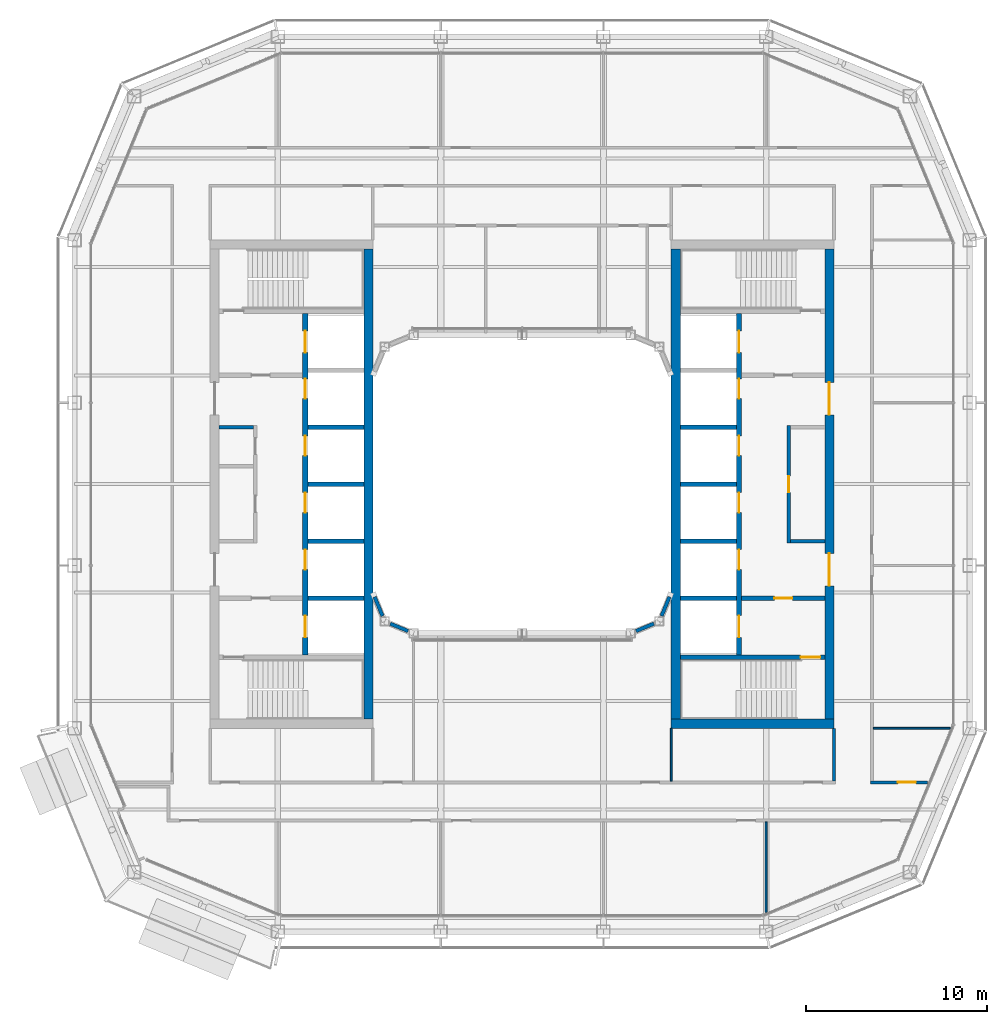
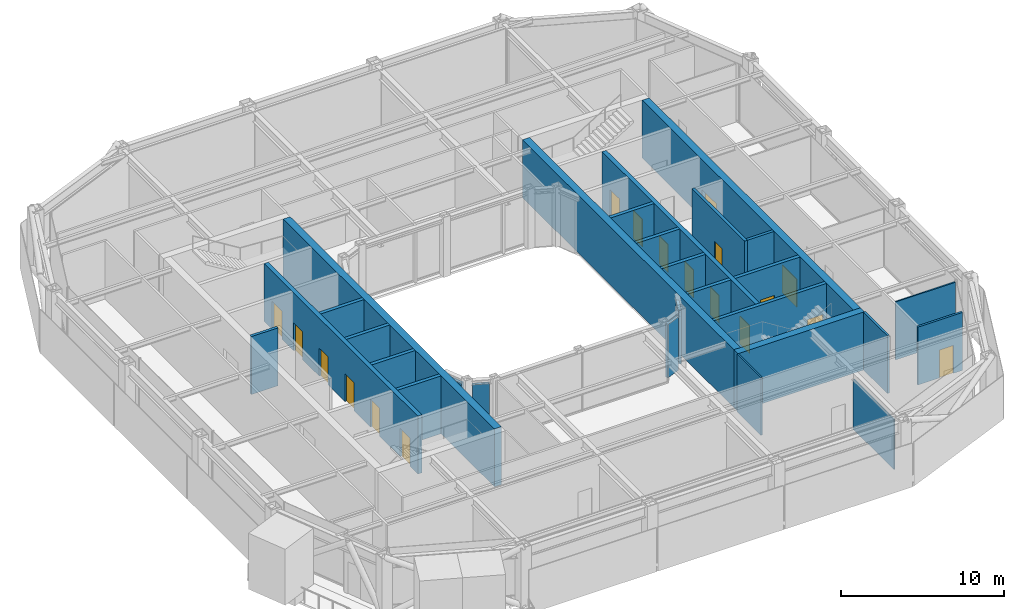
# One storey, part 11 of 20: 28 walls, 18 doors, 18 openings.
"""IFC4 building model written with IfcOpenShell, lengths in metres."""

from ifc_helpers import new_model, si_unit, direction, frame, frame_2d, origin, place, context, subcontext, project, spatial, rectangle, extrude, material, layer, layer_set, type_object, element, fill, save


model = new_model("IFC4")

# Units and contexts
model_context = context("Model", 3, precision=1e-05, world=origin(), true_north=direction((0.0, 1.0)))
body_context = subcontext(model_context, "Body", "Model", "MODEL_VIEW")
ifc_project = project(units=[si_unit("LENGTHUNIT", "METRE"), si_unit("AREAUNIT", "SQUARE_METRE"), si_unit("VOLUMEUNIT", "CUBIC_METRE"), si_unit("PLANEANGLEUNIT", "RADIAN"), si_unit("MASSUNIT", "GRAM", prefix="KILO")], contexts=[model_context])

# Site, building, storey
site_placement = place(None, origin())
site = spatial("IfcSite", under=ifc_project, at=site_placement, CompositionType="ELEMENT")
building_placement = place(site_placement, origin())
building = spatial("IfcBuilding", under=site, at=building_placement, Name="Siwar Civic Tower", CompositionType="ELEMENT")
storey_placement = place(building_placement, frame((0.0, 0.0, 298.699951171875)))
storey = spatial("IfcBuildingStorey", under=building, at=storey_placement, Name="L64", CompositionType="ELEMENT", Elevation=298.699951171875)

# Wall
ifc_material_1 = material(Name="Gypsum board on steel studs", Category="steel")
ifc_layer_1 = layer(ifc_material_1, 0.199951171875)
ifc_layer_set_1 = layer_set([ifc_layer_1], Name="Gypsum board on steel studs")
wall_type_1 = type_object("IfcWallType", Name="CORE-PARTITION-200", PredefinedType="PARTITIONING", material=ifc_layer_set_1)
wall_1_placement = place(storey_placement, frame((-14.85009765625, 3.14990234375, 0.0), z_axis=(0.0, 0.0, 1.0), x_axis=(-1.0, 0.0, 0.0)))
element("IfcWall", 1, at=wall_1_placement, inside=storey, type_object=wall_type_1, Name="Core partition W", PredefinedType="PARTITIONING", context=body_context, shape_type="SweptSolid", body=[
    extrude(rectangle(XDim=1.89990234375, YDim=0.199951171875, at=frame_2d((0.949951171875, 0.0))), origin(), (0.0, 0.0, 1.0), 4.35009765625),
])

# Wall, opening, door
wall_2_placement = place(storey_placement, frame((14.75, -3.25, 0.0), z_axis=(0.0, 0.0, 1.0), x_axis=(0.0, 1.0, 0.0)))
wall_2 = element("IfcWall", 2, at=wall_2_placement, inside=storey, type_object=wall_type_1, Name="Core partition E", PredefinedType="PARTITIONING", context=body_context, shape_type="SweptSolid", body=[
    extrude(rectangle(XDim=6.5, YDim=0.199951171875, at=frame_2d((3.25, 0.0))), origin(), (0.0, 0.0, 1.0), 4.35009765625),
])
opening_1_placement = place(wall_2_placement, frame((2.800048828125, 0.0, 0.0)))
opening_1 = element("IfcOpeningElement", 3, at=opening_1_placement, cuts=wall_2, Name="Opening L64-CE13", PredefinedType="OPENING", context=body_context, shape_type="SweptSolid", body=[
    extrude(rectangle(XDim=0.89990234375, YDim=2.10009765625, at=frame_2d((0.449951171875, 1.050048828125))), frame((0.0, 0.10986328125, 0.0), z_axis=(0.0, -1.0, 0.0), x_axis=(1.0, 0.0, 0.0)), (0.0, 0.0, 1.0), 0.219970703125),
])
ifc_material_2 = material(Name="Steel door leaf", Category="steel")
door_type_1 = type_object("IfcDoorType", Name="CORE-DOOR-ROOM", OperationType="SINGLE_SWING_LEFT", PredefinedType="DOOR", material=ifc_material_2)
door_1_placement = place(opening_1_placement, origin())
door_1 = element("IfcDoor", 4, at=door_1_placement, inside=storey, type_object=door_type_1, Name="Core room door L64-CE13", OperationType="SINGLE_SWING_LEFT", OverallHeight=2.10009765625, OverallWidth=0.89990234375, PredefinedType="DOOR", context=body_context, shape_type="SweptSolid", body=[
    extrude(rectangle(XDim=0.89990234375, YDim=2.10009765625, at=frame_2d((0.449951171875, 1.050048828125))), frame((0.0, 0.02490234375, 0.0), z_axis=(0.0, -1.0, 0.0), x_axis=(1.0, 0.0, 0.0)), (0.0, 0.0, 1.0), 0.050048828125),
])
fill(opening_1, door_1)

# Walls
wall_3_placement = place(storey_placement, frame((14.85009765625, -3.14990234375, 0.0), z_axis=(0.0, 0.0, 1.0), x_axis=(1.0, 0.0, 0.0)))
element("IfcWall", 5, at=wall_3_placement, inside=storey, type_object=wall_type_1, Name="Core partition E", PredefinedType="PARTITIONING", context=body_context, shape_type="SweptSolid", body=[
    extrude(rectangle(XDim=1.89990234375, YDim=0.199951171875, at=frame_2d((0.949951171875, 0.0))), origin(), (0.0, 0.0, 1.0), 4.35009765625),
])
ifc_material_3 = material(Name="Concrete C60/75", Category="concrete")
ifc_layer_2 = layer(ifc_material_3, 0.25)
ifc_layer_set_2 = layer_set([ifc_layer_2], Name="Concrete C60/75")
wall_type_2 = type_object("IfcWallType", Name="CORE-WALL-RC250", PredefinedType="SHEAR", material=ifc_layer_set_2)
for number, where, z_axis, x_axis, name in (
    (6, (-8.75, 0.0, 0.0), (0.0, 0.0, 1.0), (-1.0, 0.0, 0.0), "Core wall W"),
    (7, (-8.75, 3.14990234375, 0.0), (0.0, 0.0, 1.0), (-1.0, 0.0, 0.0), "Core wall W"),
    (8, (-8.75, -3.14990234375, 0.0), (0.0, 0.0, 1.0), (-1.0, 0.0, 0.0), "Core wall W"),
    (9, (-8.75, -6.300048828125, 0.0), (0.0, 0.0, 1.0), (-1.0, 0.0, 0.0), "Core wall W"),
):
    element("IfcWall", number, at=place(storey_placement, frame(where, z_axis=z_axis, x_axis=x_axis)), inside=storey, type_object=wall_type_2, Name=name, PredefinedType="SHEAR", context=body_context, shape_type="SweptSolid", body=[
        extrude(rectangle(XDim=3.10009765625, YDim=0.25, at=frame_2d((1.550048828125, 0.0))), origin(), (0.0, 0.0, 1.0), 4.35009765625),
    ])

# Wall, opening, door
wall_4_placement = place(storey_placement, frame((12.14990234375, -6.300048828125, 0.0), z_axis=(0.0, 0.0, 1.0), x_axis=(1.0, 0.0, 0.0)))
wall_4 = element("IfcWall", 10, at=wall_4_placement, inside=storey, type_object=wall_type_2, Name="Core wall E", PredefinedType="SHEAR", context=body_context, shape_type="SweptSolid", body=[
    extrude(rectangle(XDim=4.60009765625, YDim=0.25, at=frame_2d((2.300048828125, 0.0))), origin(), (0.0, 0.0, 1.0), 4.35009765625),
])
opening_2_placement = place(wall_4_placement, frame((1.800048828125, 0.0, 0.0)))
opening_2 = element("IfcOpeningElement", 11, at=opening_2_placement, cuts=wall_4, Name="Opening L64-CE02", PredefinedType="OPENING", context=body_context, shape_type="SweptSolid", body=[
    extrude(rectangle(XDim=1.0, YDim=2.10009765625, at=frame_2d((0.5, 1.050048828125))), frame((0.0, 0.135009765625, 0.0), z_axis=(0.0, -1.0, 0.0), x_axis=(1.0, 0.0, 0.0)), (0.0, 0.0, 1.0), 0.27001953125),
])
ifc_material_4 = material(Name="Steel door leaf", Category="steel")
door_type_2 = type_object("IfcDoorType", Name="CORE-DOOR-FD30S", OperationType="SINGLE_SWING_LEFT", PredefinedType="DOOR", material=ifc_material_4)
door_2_placement = place(opening_2_placement, origin())
door_2 = element("IfcDoor", 12, at=door_2_placement, inside=storey, type_object=door_type_2, Name="Service lobby door L64-CE02", OperationType="SINGLE_SWING_LEFT", OverallHeight=2.10009765625, OverallWidth=1.0, PredefinedType="DOOR", context=body_context, shape_type="SweptSolid", body=[
    extrude(rectangle(XDim=1.0, YDim=2.10009765625, at=frame_2d((0.5, 1.050048828125))), frame((0.0, 0.02490234375, 0.0), z_axis=(0.0, -1.0, 0.0), x_axis=(1.0, 0.0, 0.0)), (0.0, 0.0, 1.0), 0.050048828125),
])
fill(opening_2, door_2)

# Walls
for number, where, z_axis, x_axis, name in (
    (13, (8.75, 0.0, 0.0), (0.0, 0.0, 1.0), (1.0, 0.0, 0.0), "Core wall E"),
    (14, (8.75, 3.14990234375, 0.0), (0.0, 0.0, 1.0), (1.0, 0.0, 0.0), "Core wall E"),
    (15, (8.75, -3.14990234375, 0.0), (0.0, 0.0, 1.0), (1.0, 0.0, 0.0), "Core wall E"),
    (16, (8.75, -6.300048828125, 0.0), (0.0, 0.0, 1.0), (1.0, 0.0, 0.0), "Core wall E"),
):
    element("IfcWall", number, at=place(storey_placement, frame(where, z_axis=z_axis, x_axis=x_axis)), inside=storey, type_object=wall_type_2, Name=name, PredefinedType="SHEAR", context=body_context, shape_type="SweptSolid", body=[
        extrude(rectangle(XDim=3.10009765625, YDim=0.25, at=frame_2d((1.550048828125, 0.0))), origin(), (0.0, 0.0, 1.0), 4.35009765625),
    ])

# Wall, opening, door
wall_5_placement = place(storey_placement, frame((8.75, -9.574951171875, 0.0), z_axis=(0.0, 0.0, 1.0), x_axis=(1.0, 0.0, 0.0)))
wall_5 = element("IfcWall", 17, at=wall_5_placement, inside=storey, type_object=wall_type_2, Name="Core wall E", PredefinedType="SHEAR", context=body_context, shape_type="SweptSolid", body=[
    extrude(rectangle(XDim=8.0, YDim=0.25, at=frame_2d((4.0, 0.0))), origin(), (0.0, 0.0, 1.0), 4.35009765625),
])
opening_3_placement = place(wall_5_placement, frame((6.64990234375, 0.0, 0.0)))
opening_3 = element("IfcOpeningElement", 18, at=opening_3_placement, cuts=wall_5, Name="Opening L64-CE04", PredefinedType="OPENING", context=body_context, shape_type="SweptSolid", body=[
    extrude(rectangle(XDim=1.10009765625, YDim=2.10009765625, at=frame_2d((0.550048828125, 1.050048828125))), frame((0.0, 0.135009765625, 0.0), z_axis=(0.0, -1.0, 0.0), x_axis=(1.0, 0.0, 0.0)), (0.0, 0.0, 1.0), 0.27001953125),
])
ifc_material_5 = material(Name="Steel door leaf", Category="steel")
door_type_3 = type_object("IfcDoorType", Name="CORE-DOOR-FD60S", OperationType="SINGLE_SWING_LEFT", PredefinedType="DOOR", material=ifc_material_5)
door_3_placement = place(opening_3_placement, origin())
door_3 = element("IfcDoor", 19, at=door_3_placement, inside=storey, type_object=door_type_3, Name="Stair door L64-CE04", OperationType="SINGLE_SWING_RIGHT", OverallHeight=2.10009765625, OverallWidth=1.10009765625, PredefinedType="DOOR", context=body_context, shape_type="SweptSolid", body=[
    extrude(rectangle(XDim=1.10009765625, YDim=2.10009765625, at=frame_2d((0.550048828125, 1.050048828125))), frame((0.0, 0.02490234375, 0.0), z_axis=(0.0, -1.0, 0.0), x_axis=(1.0, 0.0, 0.0)), (0.0, 0.0, 1.0), 0.050048828125),
])
fill(opening_3, door_3)

# Wall, openings, doors
ifc_material_6 = material(Name="Concrete C60/75", Category="concrete")
ifc_layer_3 = layer(ifc_material_6, 0.300048828125)
ifc_layer_set_3 = layer_set([ifc_layer_3], Name="Concrete C60/75")
wall_type_3 = type_object("IfcWallType", Name="CORE-WALL-RC300", PredefinedType="SHEAR", material=ifc_layer_set_3)
wall_6_placement = place(storey_placement, frame((-12.0, -9.449951171875, 0.0), z_axis=(0.0, 0.0, 1.0), x_axis=(0.0, 1.0, 0.0)))
wall_6 = element("IfcWall", 20, at=wall_6_placement, inside=storey, type_object=wall_type_3, Name="Core wall W", PredefinedType="SHEAR", context=body_context, shape_type="SweptSolid", body=[
    extrude(rectangle(XDim=18.89990234375, YDim=0.300048828125, at=frame_2d((9.449951171875, 0.0))), origin(), (0.0, 0.0, 1.0), 4.35009765625),
])
opening_4_placement = place(wall_6_placement, frame((4.72509765625, 0.0, 0.0)))
opening_4 = element("IfcOpeningElement", 21, at=opening_4_placement, cuts=wall_6, Name="Opening L64-CW07", PredefinedType="OPENING", context=body_context, shape_type="SweptSolid", body=[
    extrude(rectangle(XDim=1.10009765625, YDim=2.10009765625, at=frame_2d((0.550048828125, 1.050048828125))), frame((0.0, 0.16015625, 0.0), z_axis=(0.0, -1.0, 0.0), x_axis=(1.0, 0.0, 0.0)), (0.0, 0.0, 1.0), 0.320068359375),
])
opening_5_placement = place(wall_6_placement, frame((7.875, 0.0, 0.0)))
opening_5 = element("IfcOpeningElement", 22, at=opening_5_placement, cuts=wall_6, Name="Opening L64-CW08", PredefinedType="OPENING", context=body_context, shape_type="SweptSolid", body=[
    extrude(rectangle(XDim=1.10009765625, YDim=2.10009765625, at=frame_2d((0.550048828125, 1.050048828125))), frame((0.0, 0.16015625, 0.0), z_axis=(0.0, -1.0, 0.0), x_axis=(1.0, 0.0, 0.0)), (0.0, 0.0, 1.0), 0.320068359375),
])
opening_6_placement = place(wall_6_placement, frame((11.02490234375, 0.0, 0.0)))
opening_6 = element("IfcOpeningElement", 23, at=opening_6_placement, cuts=wall_6, Name="Opening L64-CW09", PredefinedType="OPENING", context=body_context, shape_type="SweptSolid", body=[
    extrude(rectangle(XDim=1.10009765625, YDim=2.10009765625, at=frame_2d((0.550048828125, 1.050048828125))), frame((0.0, 0.16015625, 0.0), z_axis=(0.0, -1.0, 0.0), x_axis=(1.0, 0.0, 0.0)), (0.0, 0.0, 1.0), 0.320068359375),
])
opening_7_placement = place(wall_6_placement, frame((14.175048828125, 0.0, 0.0)))
opening_7 = element("IfcOpeningElement", 24, at=opening_7_placement, cuts=wall_6, Name="Opening L64-CW10", PredefinedType="OPENING", context=body_context, shape_type="SweptSolid", body=[
    extrude(rectangle(XDim=1.10009765625, YDim=2.10009765625, at=frame_2d((0.550048828125, 1.050048828125))), frame((0.0, 0.16015625, 0.0), z_axis=(0.0, -1.0, 0.0), x_axis=(1.0, 0.0, 0.0)), (0.0, 0.0, 1.0), 0.320068359375),
])
opening_8_placement = place(wall_6_placement, frame((16.72509765625, 0.0, 0.0)))
opening_8 = element("IfcOpeningElement", 25, at=opening_8_placement, cuts=wall_6, Name="Opening L64-CW11", PredefinedType="OPENING", context=body_context, shape_type="SweptSolid", body=[
    extrude(rectangle(XDim=1.199951171875, YDim=2.10009765625, at=frame_2d((0.60009765625, 1.050048828125))), frame((0.0, 0.16015625, 0.0), z_axis=(0.0, -1.0, 0.0), x_axis=(1.0, 0.0, 0.0)), (0.0, 0.0, 1.0), 0.320068359375),
])
opening_9_placement = place(wall_6_placement, frame((0.97509765625, 0.0, 0.0)))
opening_9 = element("IfcOpeningElement", 26, at=opening_9_placement, cuts=wall_6, Name="Opening L64-CW12", PredefinedType="OPENING", context=body_context, shape_type="SweptSolid", body=[
    extrude(rectangle(XDim=1.199951171875, YDim=2.10009765625, at=frame_2d((0.60009765625, 1.050048828125))), frame((0.0, 0.16015625, 0.0), z_axis=(0.0, -1.0, 0.0), x_axis=(1.0, 0.0, 0.0)), (0.0, 0.0, 1.0), 0.320068359375),
])
ifc_material_7 = material(Name="Steel door leaf", Category="steel")
door_type_4 = type_object("IfcDoorType", Name="CORE-DOOR-LD", OperationType="DOUBLE_DOOR_SLIDING", PredefinedType="DOOR", material=ifc_material_7)
door_4_placement = place(opening_4_placement, origin())
door_4 = element("IfcDoor", 27, at=door_4_placement, inside=storey, type_object=door_type_4, Name="Landing door HR1 L64-CW07", OperationType="DOUBLE_DOOR_SLIDING", OverallHeight=2.10009765625, OverallWidth=1.10009765625, PredefinedType="DOOR", context=body_context, shape_type="SweptSolid", body=[
    extrude(rectangle(XDim=1.10009765625, YDim=2.10009765625, at=frame_2d((0.550048828125, 1.050048828125))), frame((0.0, 0.02490234375, 0.0), z_axis=(0.0, -1.0, 0.0), x_axis=(1.0, 0.0, 0.0)), (0.0, 0.0, 1.0), 0.050048828125),
])
fill(opening_4, door_4)
door_5_placement = place(opening_5_placement, origin())
door_5 = element("IfcDoor", 28, at=door_5_placement, inside=storey, type_object=door_type_4, Name="Landing door HR2 L64-CW08", OperationType="DOUBLE_DOOR_SLIDING", OverallHeight=2.10009765625, OverallWidth=1.10009765625, PredefinedType="DOOR", context=body_context, shape_type="SweptSolid", body=[
    extrude(rectangle(XDim=1.10009765625, YDim=2.10009765625, at=frame_2d((0.550048828125, 1.050048828125))), frame((0.0, 0.02490234375, 0.0), z_axis=(0.0, -1.0, 0.0), x_axis=(1.0, 0.0, 0.0)), (0.0, 0.0, 1.0), 0.050048828125),
])
fill(opening_5, door_5)
door_6_placement = place(opening_6_placement, origin())
door_6 = element("IfcDoor", 29, at=door_6_placement, inside=storey, type_object=door_type_4, Name="Landing door HR3 L64-CW09", OperationType="DOUBLE_DOOR_SLIDING", OverallHeight=2.10009765625, OverallWidth=1.10009765625, PredefinedType="DOOR", context=body_context, shape_type="SweptSolid", body=[
    extrude(rectangle(XDim=1.10009765625, YDim=2.10009765625, at=frame_2d((0.550048828125, 1.050048828125))), frame((0.0, 0.02490234375, 0.0), z_axis=(0.0, -1.0, 0.0), x_axis=(1.0, 0.0, 0.0)), (0.0, 0.0, 1.0), 0.050048828125),
])
fill(opening_6, door_6)
door_7_placement = place(opening_7_placement, origin())
door_7 = element("IfcDoor", 30, at=door_7_placement, inside=storey, type_object=door_type_4, Name="Landing door HR4 L64-CW10", OperationType="DOUBLE_DOOR_SLIDING", OverallHeight=2.10009765625, OverallWidth=1.10009765625, PredefinedType="DOOR", context=body_context, shape_type="SweptSolid", body=[
    extrude(rectangle(XDim=1.10009765625, YDim=2.10009765625, at=frame_2d((0.550048828125, 1.050048828125))), frame((0.0, 0.02490234375, 0.0), z_axis=(0.0, -1.0, 0.0), x_axis=(1.0, 0.0, 0.0)), (0.0, 0.0, 1.0), 0.050048828125),
])
fill(opening_7, door_7)
ifc_material_8 = material(Name="Steel door leaf", Category="steel")
door_type_5 = type_object("IfcDoorType", Name="CORE-DOOR-LDW", OperationType="DOUBLE_DOOR_SLIDING", PredefinedType="DOOR", material=ifc_material_8)
door_8_placement = place(opening_8_placement, origin())
door_8 = element("IfcDoor", 31, at=door_8_placement, inside=storey, type_object=door_type_5, Name="Landing door FF1 L64-CW11", OperationType="DOUBLE_DOOR_SLIDING", OverallHeight=2.10009765625, OverallWidth=1.199951171875, PredefinedType="DOOR", context=body_context, shape_type="SweptSolid", body=[
    extrude(rectangle(XDim=1.199951171875, YDim=2.10009765625, at=frame_2d((0.60009765625, 1.050048828125))), frame((0.0, 0.02490234375, 0.0), z_axis=(0.0, -1.0, 0.0), x_axis=(1.0, 0.0, 0.0)), (0.0, 0.0, 1.0), 0.050048828125),
])
fill(opening_8, door_8)
door_9_placement = place(opening_9_placement, origin())
door_9 = element("IfcDoor", 32, at=door_9_placement, inside=storey, type_object=door_type_5, Name="Landing door SV1 L64-CW12", OperationType="DOUBLE_DOOR_SLIDING", OverallHeight=2.10009765625, OverallWidth=1.199951171875, PredefinedType="DOOR", context=body_context, shape_type="SweptSolid", body=[
    extrude(rectangle(XDim=1.199951171875, YDim=2.10009765625, at=frame_2d((0.60009765625, 1.050048828125))), frame((0.0, 0.02490234375, 0.0), z_axis=(0.0, -1.0, 0.0), x_axis=(1.0, 0.0, 0.0)), (0.0, 0.0, 1.0), 0.050048828125),
])
fill(opening_9, door_9)

wall_7_placement = place(storey_placement, frame((12.0, -9.449951171875, 0.0), z_axis=(0.0, 0.0, 1.0), x_axis=(0.0, 1.0, 0.0)))
wall_7 = element("IfcWall", 33, at=wall_7_placement, inside=storey, type_object=wall_type_3, Name="Core wall E", PredefinedType="SHEAR", context=body_context, shape_type="SweptSolid", body=[
    extrude(rectangle(XDim=18.89990234375, YDim=0.300048828125, at=frame_2d((9.449951171875, 0.0))), origin(), (0.0, 0.0, 1.0), 4.35009765625),
])
opening_10_placement = place(wall_7_placement, frame((4.72509765625, 0.0, 0.0)))
opening_10 = element("IfcOpeningElement", 34, at=opening_10_placement, cuts=wall_7, Name="Opening L64-CE07", PredefinedType="OPENING", context=body_context, shape_type="SweptSolid", body=[
    extrude(rectangle(XDim=1.10009765625, YDim=2.10009765625, at=frame_2d((0.550048828125, 1.050048828125))), frame((0.0, 0.16015625, 0.0), z_axis=(0.0, -1.0, 0.0), x_axis=(1.0, 0.0, 0.0)), (0.0, 0.0, 1.0), 0.320068359375),
])
opening_11_placement = place(wall_7_placement, frame((7.875, 0.0, 0.0)))
opening_11 = element("IfcOpeningElement", 35, at=opening_11_placement, cuts=wall_7, Name="Opening L64-CE08", PredefinedType="OPENING", context=body_context, shape_type="SweptSolid", body=[
    extrude(rectangle(XDim=1.10009765625, YDim=2.10009765625, at=frame_2d((0.550048828125, 1.050048828125))), frame((0.0, 0.16015625, 0.0), z_axis=(0.0, -1.0, 0.0), x_axis=(1.0, 0.0, 0.0)), (0.0, 0.0, 1.0), 0.320068359375),
])
opening_12_placement = place(wall_7_placement, frame((11.02490234375, 0.0, 0.0)))
opening_12 = element("IfcOpeningElement", 36, at=opening_12_placement, cuts=wall_7, Name="Opening L64-CE09", PredefinedType="OPENING", context=body_context, shape_type="SweptSolid", body=[
    extrude(rectangle(XDim=1.10009765625, YDim=2.10009765625, at=frame_2d((0.550048828125, 1.050048828125))), frame((0.0, 0.16015625, 0.0), z_axis=(0.0, -1.0, 0.0), x_axis=(1.0, 0.0, 0.0)), (0.0, 0.0, 1.0), 0.320068359375),
])
opening_13_placement = place(wall_7_placement, frame((14.175048828125, 0.0, 0.0)))
opening_13 = element("IfcOpeningElement", 37, at=opening_13_placement, cuts=wall_7, Name="Opening L64-CE10", PredefinedType="OPENING", context=body_context, shape_type="SweptSolid", body=[
    extrude(rectangle(XDim=1.10009765625, YDim=2.10009765625, at=frame_2d((0.550048828125, 1.050048828125))), frame((0.0, 0.16015625, 0.0), z_axis=(0.0, -1.0, 0.0), x_axis=(1.0, 0.0, 0.0)), (0.0, 0.0, 1.0), 0.320068359375),
])
opening_14_placement = place(wall_7_placement, frame((16.72509765625, 0.0, 0.0)))
opening_14 = element("IfcOpeningElement", 38, at=opening_14_placement, cuts=wall_7, Name="Opening L64-CE11", PredefinedType="OPENING", context=body_context, shape_type="SweptSolid", body=[
    extrude(rectangle(XDim=1.199951171875, YDim=2.10009765625, at=frame_2d((0.60009765625, 1.050048828125))), frame((0.0, 0.16015625, 0.0), z_axis=(0.0, -1.0, 0.0), x_axis=(1.0, 0.0, 0.0)), (0.0, 0.0, 1.0), 0.320068359375),
])
opening_15_placement = place(wall_7_placement, frame((0.97509765625, 0.0, 0.0)))
opening_15 = element("IfcOpeningElement", 39, at=opening_15_placement, cuts=wall_7, Name="Opening L64-CE12", PredefinedType="OPENING", context=body_context, shape_type="SweptSolid", body=[
    extrude(rectangle(XDim=1.199951171875, YDim=2.10009765625, at=frame_2d((0.60009765625, 1.050048828125))), frame((0.0, 0.16015625, 0.0), z_axis=(0.0, -1.0, 0.0), x_axis=(1.0, 0.0, 0.0)), (0.0, 0.0, 1.0), 0.320068359375),
])
door_10_placement = place(opening_10_placement, origin())
door_10 = element("IfcDoor", 40, at=door_10_placement, inside=storey, type_object=door_type_4, Name="Landing door HR5 L64-CE07", OperationType="DOUBLE_DOOR_SLIDING", OverallHeight=2.10009765625, OverallWidth=1.10009765625, PredefinedType="DOOR", context=body_context, shape_type="SweptSolid", body=[
    extrude(rectangle(XDim=1.10009765625, YDim=2.10009765625, at=frame_2d((0.550048828125, 1.050048828125))), frame((0.0, 0.02490234375, 0.0), z_axis=(0.0, -1.0, 0.0), x_axis=(1.0, 0.0, 0.0)), (0.0, 0.0, 1.0), 0.050048828125),
])
fill(opening_10, door_10)
door_11_placement = place(opening_11_placement, origin())
door_11 = element("IfcDoor", 41, at=door_11_placement, inside=storey, type_object=door_type_4, Name="Landing door HR6 L64-CE08", OperationType="DOUBLE_DOOR_SLIDING", OverallHeight=2.10009765625, OverallWidth=1.10009765625, PredefinedType="DOOR", context=body_context, shape_type="SweptSolid", body=[
    extrude(rectangle(XDim=1.10009765625, YDim=2.10009765625, at=frame_2d((0.550048828125, 1.050048828125))), frame((0.0, 0.02490234375, 0.0), z_axis=(0.0, -1.0, 0.0), x_axis=(1.0, 0.0, 0.0)), (0.0, 0.0, 1.0), 0.050048828125),
])
fill(opening_11, door_11)
door_12_placement = place(opening_12_placement, origin())
door_12 = element("IfcDoor", 42, at=door_12_placement, inside=storey, type_object=door_type_4, Name="Landing door HR7 L64-CE09", OperationType="DOUBLE_DOOR_SLIDING", OverallHeight=2.10009765625, OverallWidth=1.10009765625, PredefinedType="DOOR", context=body_context, shape_type="SweptSolid", body=[
    extrude(rectangle(XDim=1.10009765625, YDim=2.10009765625, at=frame_2d((0.550048828125, 1.050048828125))), frame((0.0, 0.02490234375, 0.0), z_axis=(0.0, -1.0, 0.0), x_axis=(1.0, 0.0, 0.0)), (0.0, 0.0, 1.0), 0.050048828125),
])
fill(opening_12, door_12)
door_13_placement = place(opening_13_placement, origin())
door_13 = element("IfcDoor", 43, at=door_13_placement, inside=storey, type_object=door_type_4, Name="Landing door HR8 L64-CE10", OperationType="DOUBLE_DOOR_SLIDING", OverallHeight=2.10009765625, OverallWidth=1.10009765625, PredefinedType="DOOR", context=body_context, shape_type="SweptSolid", body=[
    extrude(rectangle(XDim=1.10009765625, YDim=2.10009765625, at=frame_2d((0.550048828125, 1.050048828125))), frame((0.0, 0.02490234375, 0.0), z_axis=(0.0, -1.0, 0.0), x_axis=(1.0, 0.0, 0.0)), (0.0, 0.0, 1.0), 0.050048828125),
])
fill(opening_13, door_13)
door_14_placement = place(opening_14_placement, origin())
door_14 = element("IfcDoor", 44, at=door_14_placement, inside=storey, type_object=door_type_5, Name="Landing door FF2 L64-CE11", OperationType="DOUBLE_DOOR_SLIDING", OverallHeight=2.10009765625, OverallWidth=1.199951171875, PredefinedType="DOOR", context=body_context, shape_type="SweptSolid", body=[
    extrude(rectangle(XDim=1.199951171875, YDim=2.10009765625, at=frame_2d((0.60009765625, 1.050048828125))), frame((0.0, 0.02490234375, 0.0), z_axis=(0.0, -1.0, 0.0), x_axis=(1.0, 0.0, 0.0)), (0.0, 0.0, 1.0), 0.050048828125),
])
fill(opening_14, door_14)
door_15_placement = place(opening_15_placement, origin())
door_15 = element("IfcDoor", 45, at=door_15_placement, inside=storey, type_object=door_type_5, Name="Landing door SV2 L64-CE12", OperationType="DOUBLE_DOOR_SLIDING", OverallHeight=2.10009765625, OverallWidth=1.199951171875, PredefinedType="DOOR", context=body_context, shape_type="SweptSolid", body=[
    extrude(rectangle(XDim=1.199951171875, YDim=2.10009765625, at=frame_2d((0.60009765625, 1.050048828125))), frame((0.0, 0.02490234375, 0.0), z_axis=(0.0, -1.0, 0.0), x_axis=(1.0, 0.0, 0.0)), (0.0, 0.0, 1.0), 0.050048828125),
])
fill(opening_15, door_15)

ifc_material_9 = material(Name="Concrete C60/75", Category="concrete")
ifc_layer_4 = layer(ifc_material_9, 0.5)
ifc_layer_set_4 = layer_set([ifc_layer_4], Name="Concrete C60/75")
wall_type_4 = type_object("IfcWallType", Name="CORE-WALL-RC500", PredefinedType="SHEAR", material=ifc_layer_set_4)
wall_8_placement = place(storey_placement, frame((17.0, -13.0, 0.0), z_axis=(0.0, 0.0, 1.0), x_axis=(0.0, 1.0, 0.0)))
wall_8 = element("IfcWall", 46, at=wall_8_placement, inside=storey, type_object=wall_type_4, Name="Core wall E", PredefinedType="SHEAR", context=body_context, shape_type="SweptSolid", body=[
    extrude(rectangle(XDim=26.0, YDim=0.5, at=frame_2d((13.0, 0.0))), origin(), (0.0, 0.0, 1.0), 4.35009765625),
])
opening_16_placement = place(wall_8_placement, frame((16.824951171875, 0.0, 0.0)))
opening_16 = element("IfcOpeningElement", 47, at=opening_16_placement, cuts=wall_8, Name="Opening L64-CE05", PredefinedType="OPENING", context=body_context, shape_type="SweptSolid", body=[
    extrude(rectangle(XDim=1.800048828125, YDim=2.10009765625, at=frame_2d((0.89990234375, 1.050048828125))), frame((0.0, 0.260009765625, 0.0), z_axis=(0.0, -1.0, 0.0), x_axis=(1.0, 0.0, 0.0)), (0.0, 0.0, 1.0), 0.52001953125),
])
opening_17_placement = place(wall_8_placement, frame((7.375, 0.0, 0.0)))
opening_17 = element("IfcOpeningElement", 48, at=opening_17_placement, cuts=wall_8, Name="Opening L64-CE06", PredefinedType="OPENING", context=body_context, shape_type="SweptSolid", body=[
    extrude(rectangle(XDim=1.800048828125, YDim=2.10009765625, at=frame_2d((0.89990234375, 1.050048828125))), frame((0.0, 0.260009765625, 0.0), z_axis=(0.0, -1.0, 0.0), x_axis=(1.0, 0.0, 0.0)), (0.0, 0.0, 1.0), 0.52001953125),
])
ifc_material_10 = material(Name="Steel door leaf", Category="steel")
door_type_6 = type_object("IfcDoorType", Name="CORE-DOOR-PORT", OperationType="DOUBLE_DOOR_DOUBLE_SWING", PredefinedType="DOOR", material=ifc_material_10)
door_16_placement = place(opening_16_placement, origin())
door_16 = element("IfcDoor", 49, at=door_16_placement, inside=storey, type_object=door_type_6, Name="Core entrance door L64-CE05", OperationType="DOUBLE_DOOR_DOUBLE_SWING", OverallHeight=2.10009765625, OverallWidth=1.800048828125, PredefinedType="DOOR", context=body_context, shape_type="SweptSolid", body=[
    extrude(rectangle(XDim=1.800048828125, YDim=2.10009765625, at=frame_2d((0.89990234375, 1.050048828125))), frame((0.0, 0.02490234375, 0.0), z_axis=(0.0, -1.0, 0.0), x_axis=(1.0, 0.0, 0.0)), (0.0, 0.0, 1.0), 0.050048828125),
])
fill(opening_16, door_16)
door_17_placement = place(opening_17_placement, origin())
door_17 = element("IfcDoor", 50, at=door_17_placement, inside=storey, type_object=door_type_6, Name="Core entrance door L64-CE06", OperationType="DOUBLE_DOOR_DOUBLE_SWING", OverallHeight=2.10009765625, OverallWidth=1.800048828125, PredefinedType="DOOR", context=body_context, shape_type="SweptSolid", body=[
    extrude(rectangle(XDim=1.800048828125, YDim=2.10009765625, at=frame_2d((0.89990234375, 1.050048828125))), frame((0.0, 0.02490234375, 0.0), z_axis=(0.0, -1.0, 0.0), x_axis=(1.0, 0.0, 0.0)), (0.0, 0.0, 1.0), 0.050048828125),
])
fill(opening_17, door_17)

# Walls
wall_9_placement = place(storey_placement, frame((8.25, -13.25, 0.0), z_axis=(0.0, 0.0, 1.0), x_axis=(1.0, 0.0, 0.0)))
element("IfcWall", 51, at=wall_9_placement, inside=storey, type_object=wall_type_4, Name="Core wall E", PredefinedType="SHEAR", context=body_context, shape_type="SweptSolid", body=[
    extrude(rectangle(XDim=9.0, YDim=0.5, at=frame_2d((4.5, 0.0))), origin(), (0.0, 0.0, 1.0), 4.35009765625),
])
ifc_material_11 = material(Name="Concrete C60/75", Category="concrete")
ifc_layer_5 = layer(ifc_material_11, 0.5)
ifc_layer_set_5 = layer_set([ifc_layer_5], Name="Concrete C60/75")
wall_type_5 = type_object("IfcWallType", Name="CORE-WALL-RC500-EXT", PredefinedType="SHEAR", material=ifc_layer_set_5)
for number, where, z_axis, x_axis, name in (
    (52, (-8.5, -13.0, 0.0), (0.0, 0.0, 1.0), (0.0, 1.0, 0.0), "Core wall W"),
    (53, (8.5, -13.0, 0.0), (0.0, 0.0, 1.0), (0.0, 1.0, 0.0), "Core wall E"),
):
    element("IfcWall", number, at=place(storey_placement, frame(where, z_axis=z_axis, x_axis=x_axis)), inside=storey, type_object=wall_type_5, Name=name, PredefinedType="SHEAR", context=body_context, shape_type="SweptSolid", body=[
        extrude(rectangle(XDim=26.0, YDim=0.5, at=frame_2d((13.0, 0.0))), origin(), (0.0, 0.0, 1.0), 4.35009765625),
    ])

# Wall, opening, door
ifc_material_12 = material(Name="Gypsum board on steel studs", Category="steel")
ifc_layer_6 = layer(ifc_material_12, 0.14990234375)
ifc_layer_set_6 = layer_set([ifc_layer_6], Name="Gypsum board on steel studs")
wall_type_6 = type_object("IfcWallType", Name="CORRIDOR PARTITION 150 EI 30", PredefinedType="PARTITIONING", material=ifc_layer_set_6)
wall_10_placement = place(storey_placement, frame((19.27490234375, -16.4951171875, 0.0), z_axis=(0.0, 0.0, 1.0), x_axis=(1.0, 0.0, 0.0)))
wall_10 = element("IfcWall", 54, at=wall_10_placement, inside=storey, type_object=wall_type_6, Name="L64/wall/P05", PredefinedType="PARTITIONING", context=body_context, shape_type="SweptSolid", body=[
    extrude(rectangle(XDim=3.1611328125, YDim=0.14990234375, at=frame_2d((1.58056640625, 0.0))), origin(), (0.0, 0.0, 1.0), 4.35009765625),
])
opening_18_placement = place(wall_10_placement, frame((1.510986328125, 0.0, 0.0)))
opening_18 = element("IfcOpeningElement", 55, at=opening_18_placement, cuts=wall_10, Name="Opening D1", PredefinedType="OPENING", context=body_context, shape_type="SweptSolid", body=[
    extrude(rectangle(XDim=1.0, YDim=2.10009765625, at=frame_2d((0.5, 1.050048828125))), frame((0.0, 0.0849609375, 0.0), z_axis=(0.0, -1.0, 0.0), x_axis=(1.0, 0.0, 0.0)), (0.0, 0.0, 1.0), 0.169921875),
])
ifc_material_13 = material(Name="Timber, painted", Category="wood")
door_type_7 = type_object("IfcDoorType", Name="DOOR 1000 X 2100 FD30", OperationType="SINGLE_SWING_LEFT", PredefinedType="DOOR", material=ifc_material_13)
door_18_placement = place(opening_18_placement, origin())
door_18 = element("IfcDoor", 56, at=door_18_placement, inside=storey, type_object=door_type_7, Name="L64-D23", OperationType="SINGLE_SWING_LEFT", OverallHeight=2.10009765625, OverallWidth=1.0, PredefinedType="DOOR", context=body_context, shape_type="SweptSolid", body=[
    extrude(rectangle(XDim=1.0, YDim=2.10009765625, at=frame_2d((0.5, 1.050048828125))), frame((0.0, 0.02490234375, 0.0), z_axis=(0.0, -1.0, 0.0), x_axis=(1.0, 0.0, 0.0)), (0.0, 0.0, 1.0), 0.050048828125),
])
fill(opening_18, door_18)

# Walls
wall_11_placement = place(storey_placement, frame((17.25, -16.419921875, 0.0), z_axis=(0.0, 0.0, 1.0), x_axis=(0.0, 1.0, 0.0)))
element("IfcWall", 57, at=wall_11_placement, inside=storey, type_object=wall_type_6, Name="L64/wall/P37", PredefinedType="PARTITIONING", context=body_context, shape_type="SweptSolid", body=[
    extrude(rectangle(XDim=2.919921875, YDim=0.14990234375, at=frame_2d((1.4599609375, 0.0))), origin(), (0.0, 0.0, 1.0), 4.35009765625),
])
ifc_material_14 = material(Name="Aluminium clad insulated panel", Category="aluminium")
ifc_layer_7 = layer(ifc_material_14, 0.199951171875)
ifc_layer_set_7 = layer_set([ifc_layer_7], Name="Aluminium clad insulated panel")
wall_type_7 = type_object("IfcWallType", Name="ENV-WALL-WELL", PredefinedType="STANDARD", material=ifc_layer_set_7)
wall_12_placement = place(storey_placement, frame((6.3017578125, -8.125, 0.0), z_axis=(0.0, 0.0, 1.0), x_axis=(0.923919409248, 0.382587147216, 0.0)))
element("IfcWall", 58, at=wall_12_placement, inside=storey, type_object=wall_type_7, Name="Light well corner wall SE1", PredefinedType="STANDARD", context=body_context, shape_type="SweptSolid", body=[
    extrude(rectangle(XDim=1.06884765625, YDim=0.199951171875, at=frame_2d((0.534423828125, 0.0))), origin(), (0.0, 0.0, 1.0), 4.010009765625),
])
for number, where, z_axis, x_axis, name in (
    (59, (7.716064453125, -7.289306640625, 0.0), (0.0, 0.0, 1.0), (0.382571404949, 0.923925927829, 0.0), "Light well corner wall SE2"),
    (60, (-8.154296875, -6.23095703125, 0.0), (0.0, 0.0, 1.0), (0.382571404949, -0.923925927829, 0.0), "Light well corner wall SW1"),
):
    element("IfcWall", number, at=place(storey_placement, frame(where, z_axis=z_axis, x_axis=x_axis)), inside=storey, type_object=wall_type_7, Name=name, PredefinedType="STANDARD", context=body_context, shape_type="SweptSolid", body=[
        extrude(rectangle(XDim=1.1455078125, YDim=0.199951171875, at=frame_2d((0.57275390625, 0.0))), origin(), (0.0, 0.0, 1.0), 4.010009765625),
    ])
wall_13_placement = place(storey_placement, frame((-7.289306640625, -7.716064453125, 0.0), z_axis=(0.0, 0.0, 1.0), x_axis=(0.923919409248, -0.382587147216, 0.0)))
element("IfcWall", 61, at=wall_13_placement, inside=storey, type_object=wall_type_7, Name="Light well corner wall SW2", PredefinedType="STANDARD", context=body_context, shape_type="SweptSolid", body=[
    extrude(rectangle(XDim=1.06884765625, YDim=0.199951171875, at=frame_2d((0.534423828125, 0.0))), origin(), (0.0, 0.0, 1.0), 4.010009765625),
])
ifc_material_15 = material(Name="Gypsum board on steel studs", Category="steel")
ifc_layer_8 = layer(ifc_material_15, 0.10009765625)
ifc_layer_set_8 = layer_set([ifc_layer_8], Name="Gypsum board on steel studs")
wall_type_8 = type_object("IfcWallType", Name="PARTITION 100 GYPSUM", PredefinedType="PARTITIONING", material=ifc_layer_set_8)
wall_14_placement = place(storey_placement, frame((19.425048828125, -13.5, 0.0), z_axis=(0.0, 0.0, 1.0), x_axis=(1.0, 0.0, 0.0)))
element("IfcWall", 62, at=wall_14_placement, inside=storey, type_object=wall_type_8, Name="L64/wall/P06", PredefinedType="PARTITIONING", context=body_context, shape_type="SweptSolid", body=[
    extrude(rectangle(XDim=4.2529296875, YDim=0.10009765625, at=frame_2d((2.12646484375, 0.0))), origin(), (0.0, 0.0, 1.0), 4.35009765625),
])
wall_15_placement = place(storey_placement, frame((8.25, -16.419921875, 0.0), z_axis=(0.0, 0.0, 1.0), x_axis=(0.0, 1.0, 0.0)))
element("IfcWall", 63, at=wall_15_placement, inside=storey, type_object=wall_type_8, Name="L64/wall/P32", PredefinedType="PARTITIONING", context=body_context, shape_type="SweptSolid", body=[
    extrude(rectangle(XDim=2.919921875, YDim=0.10009765625, at=frame_2d((1.4599609375, 0.0))), origin(), (0.0, 0.0, 1.0), 4.35009765625),
])
wall_16_placement = place(storey_placement, frame((13.5, -23.677978515625, 0.0), z_axis=(0.0, 0.0, 1.0), x_axis=(0.0, 1.0, 0.0)))
element("IfcWall", 64, at=wall_16_placement, inside=storey, type_object=wall_type_8, Name="L64/wall/P35", PredefinedType="PARTITIONING", context=body_context, shape_type="SweptSolid", body=[
    extrude(rectangle(XDim=5.0029296875, YDim=0.10009765625, at=frame_2d((2.50146484375, 0.0))), origin(), (0.0, 0.0, 1.0), 3.75),
])

save(model, "model.ifc")
